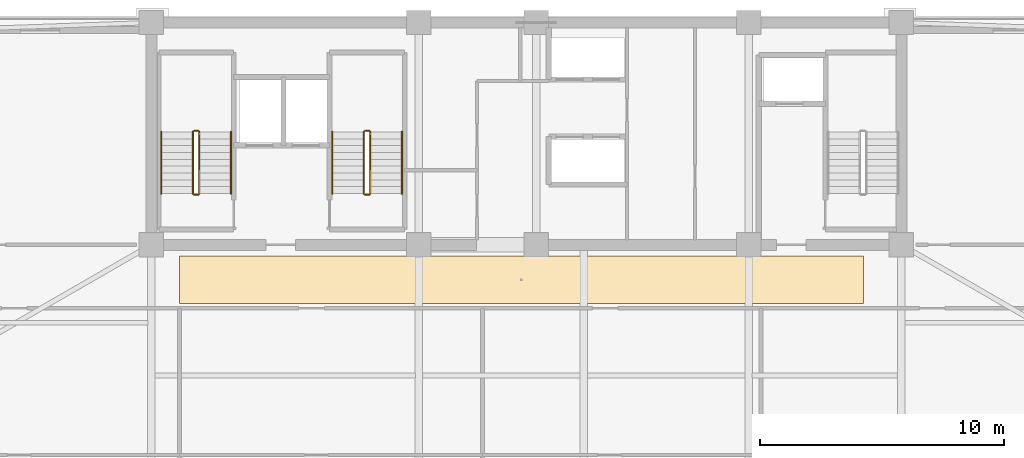
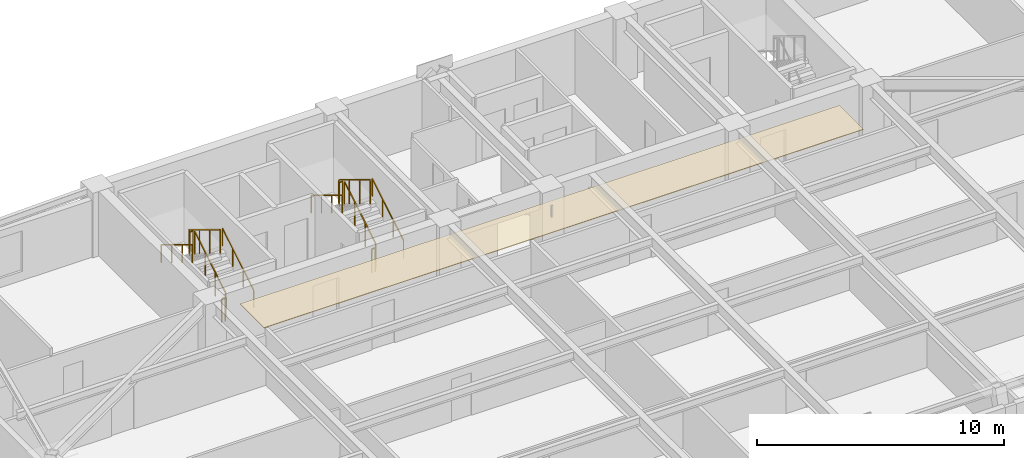
# One storey, part 14 of 16: 12 railings, 1 covering.
"""IFC4 building model written with IfcOpenShell, lengths in metres."""

from ifc_helpers import new_model, si_unit, direction, frame, origin, origin_2d, place, context, subcontext, project, spatial, polyline, rectangle, outline, extrude, material, layer, layer_set, type_object, element, save


model = new_model("IFC4")

# Units and contexts
model_context = context("Model", 3, precision=1e-05, world=origin(), true_north=direction((0.0, 1.0)))
body_context = subcontext(model_context, "Body", "Model", "MODEL_VIEW")
ifc_project = project(units=[si_unit("LENGTHUNIT", "METRE"), si_unit("AREAUNIT", "SQUARE_METRE"), si_unit("VOLUMEUNIT", "CUBIC_METRE"), si_unit("PLANEANGLEUNIT", "RADIAN"), si_unit("MASSUNIT", "GRAM", prefix="KILO")], contexts=[model_context])

# Site, building, storey
site_placement = place(None, origin())
site = spatial("IfcSite", under=ifc_project, at=site_placement, CompositionType="ELEMENT")
building_placement = place(site_placement, origin())
building = spatial("IfcBuilding", under=site, at=building_placement, Name="Giltprow Tower", CompositionType="ELEMENT")
storey_placement = place(building_placement, frame((0.0, 0.0, 255.300048828125)))
storey = spatial("IfcBuildingStorey", under=building, at=storey_placement, Name="L65", CompositionType="ELEMENT", Elevation=255.300048828125)

# Covering
ifc_material_1 = material(Name="Painted gypsum board", Category="gypsum")
ifc_layer = layer(ifc_material_1, 0.030029296875, Name="Painted gypsum board")
ifc_layer_set = layer_set([ifc_layer], Name="Painted gypsum board")
covering_type = type_object("IfcCoveringType", Name="COV-CLG-GYPSUM", PredefinedType="CEILING", material=ifc_layer_set)
covering_placement = place(storey_placement, frame((0.0, 0.0, 2.619873046875)))
element("IfcCovering", 1, at=covering_placement, inside=storey, type_object=covering_type, Name="L65 Residence Gallery Ceiling", PredefinedType="CEILING", context=body_context, shape_type="SweptSolid", body=[
    extrude(outline(polyline([(21.0, 35.050048828125), (49.0, 35.050048828125), (49.0, 37.0), (21.0, 37.0), (21.0, 35.050048828125)])), origin(), (0.0, 0.0, 1.0), 0.030029296875),
])

# Railings
ifc_material_2 = material(Name="Anodized bronze", Category="metal")
railing_type_1 = type_object("IfcRailingType", Name="RAIL-STAIR-GUARD-1200", PredefinedType="GUARDRAIL", material=ifc_material_2)
railing_1_placement = place(storey_placement, frame((21.81005859375, 39.550048828125, 0.169921875)))
element("IfcRailing", 2, at=railing_1_placement, inside=storey, type_object=railing_type_1, Name="L65 ST-1 stair guard 1", PredefinedType="GUARDRAIL", context=body_context, shape_type="SweptSolid", body=[
    extrude(rectangle(XDim=0.048095703125, YDim=0.048095703125, at=origin_2d()), frame((0.0, 0.0, 1.17578125), z_axis=(0.0, 0.85478489116, 0.518982456201), x_axis=(-1.0, 0.0, 0.0)), (0.0, 0.0, 1.0), 2.9482421875),
    extrude(rectangle(XDim=0.0419921875, YDim=0.0419921875, at=origin_2d()), origin(), (0.0, 0.0, 1.0), 1.15185546875),
    extrude(rectangle(XDim=0.0419921875, YDim=0.0419921875, at=origin_2d()), frame((0.0, 0.840087890625, 0.510009765625)), (0.0, 0.0, 1.0), 1.15185546875),
    extrude(rectangle(XDim=0.0419921875, YDim=0.0419921875, at=origin_2d()), frame((0.0, 1.679931640625, 1.02001953125)), (0.0, 0.0, 1.0), 1.15185546875),
    extrude(rectangle(XDim=0.0419921875, YDim=0.0419921875, at=origin_2d()), frame((0.0, 2.52001953125, 1.530029296875)), (0.0, 0.0, 1.0), 1.15185546875),
])
railing_2_placement = place(storey_placement, frame((21.760009765625, 42.1201171875, 1.699951171875)))
element("IfcRailing", 3, at=railing_2_placement, inside=storey, type_object=railing_type_1, Name="L65 ST-1 stair guard 2", PredefinedType="GUARDRAIL", context=body_context, shape_type="SweptSolid", body=[
    extrude(rectangle(XDim=0.048095703125, YDim=0.048095703125, at=origin_2d()), frame((0.0, 0.0, 1.17578125), z_axis=(-1.0, 0.0, 0.0), x_axis=(0.0, -1.0, 0.0)), (0.0, 0.0, 1.0), 0.159912109375),
    extrude(rectangle(XDim=0.0419921875, YDim=0.0419921875, at=origin_2d()), origin(), (0.0, 0.0, 1.0), 1.15185546875),
    extrude(rectangle(XDim=0.0419921875, YDim=0.0419921875, at=origin_2d()), frame((-0.159912109375, 0.0, 0.0)), (0.0, 0.0, 1.0), 1.15185546875),
])
railing_3_placement = place(storey_placement, frame((21.550048828125, 42.070068359375, 1.869873046875)))
element("IfcRailing", 4, at=railing_3_placement, inside=storey, type_object=railing_type_1, Name="L65 ST-1 stair guard 3", PredefinedType="GUARDRAIL", context=body_context, shape_type="SweptSolid", body=[
    extrude(rectangle(XDim=0.048095703125, YDim=0.048095703125, at=origin_2d()), frame((0.0, 0.0, 1.17578125), z_axis=(0.0, -0.85478489116, 0.518982456201), x_axis=(1.0, 0.0, 0.0)), (0.0, 0.0, 1.0), 2.9482421875),
    extrude(rectangle(XDim=0.0419921875, YDim=0.0419921875, at=origin_2d()), origin(), (0.0, 0.0, 1.0), 1.15185546875),
    extrude(rectangle(XDim=0.0419921875, YDim=0.0419921875, at=origin_2d()), frame((0.0, -0.840087890625, 0.510009765625)), (0.0, 0.0, 1.0), 1.15185546875),
    extrude(rectangle(XDim=0.0419921875, YDim=0.0419921875, at=origin_2d()), frame((0.0, -1.679931640625, 1.02001953125)), (0.0, 0.0, 1.0), 1.15185546875),
    extrude(rectangle(XDim=0.0419921875, YDim=0.0419921875, at=origin_2d()), frame((0.0, -2.52001953125, 1.530029296875)), (0.0, 0.0, 1.0), 1.15185546875),
])
railing_4_placement = place(storey_placement, frame((21.760009765625, 39.5, 0.0)))
element("IfcRailing", 5, at=railing_4_placement, inside=storey, type_object=railing_type_1, Name="L65 ST-1 stair guard 4", PredefinedType="GUARDRAIL", context=body_context, shape_type="SweptSolid", body=[
    extrude(rectangle(XDim=0.048095703125, YDim=0.048095703125, at=origin_2d()), frame((0.0, 0.0, 1.17578125), z_axis=(-1.0, 0.0, 0.0), x_axis=(0.0, -1.0, 0.0)), (0.0, 0.0, 1.0), 0.159912109375),
    extrude(rectangle(XDim=0.0419921875, YDim=0.0419921875, at=origin_2d()), origin(), (0.0, 0.0, 1.0), 1.15185546875),
    extrude(rectangle(XDim=0.0419921875, YDim=0.0419921875, at=origin_2d()), frame((-0.159912109375, 0.0, 0.0)), (0.0, 0.0, 1.0), 1.15185546875),
])
railing_5_placement = place(storey_placement, frame((28.81005859375, 39.550048828125, 0.169921875)))
element("IfcRailing", 6, at=railing_5_placement, inside=storey, type_object=railing_type_1, Name="L65 ST-2 stair guard 1", PredefinedType="GUARDRAIL", context=body_context, shape_type="SweptSolid", body=[
    extrude(rectangle(XDim=0.048095703125, YDim=0.048095703125, at=origin_2d()), frame((0.0, 0.0, 1.17578125), z_axis=(0.0, 0.85478489116, 0.518982456201), x_axis=(-1.0, 0.0, 0.0)), (0.0, 0.0, 1.0), 2.9482421875),
    extrude(rectangle(XDim=0.0419921875, YDim=0.0419921875, at=origin_2d()), origin(), (0.0, 0.0, 1.0), 1.15185546875),
    extrude(rectangle(XDim=0.0419921875, YDim=0.0419921875, at=origin_2d()), frame((0.0, 0.840087890625, 0.510009765625)), (0.0, 0.0, 1.0), 1.15185546875),
    extrude(rectangle(XDim=0.0419921875, YDim=0.0419921875, at=origin_2d()), frame((0.0, 1.679931640625, 1.02001953125)), (0.0, 0.0, 1.0), 1.15185546875),
    extrude(rectangle(XDim=0.0419921875, YDim=0.0419921875, at=origin_2d()), frame((0.0, 2.52001953125, 1.530029296875)), (0.0, 0.0, 1.0), 1.15185546875),
])
railing_6_placement = place(storey_placement, frame((28.760009765625, 42.1201171875, 1.699951171875)))
element("IfcRailing", 7, at=railing_6_placement, inside=storey, type_object=railing_type_1, Name="L65 ST-2 stair guard 2", PredefinedType="GUARDRAIL", context=body_context, shape_type="SweptSolid", body=[
    extrude(rectangle(XDim=0.048095703125, YDim=0.048095703125, at=origin_2d()), frame((0.0, 0.0, 1.17578125), z_axis=(-1.0, 0.0, 0.0), x_axis=(0.0, -1.0, 0.0)), (0.0, 0.0, 1.0), 0.159912109375),
    extrude(rectangle(XDim=0.0419921875, YDim=0.0419921875, at=origin_2d()), origin(), (0.0, 0.0, 1.0), 1.15185546875),
    extrude(rectangle(XDim=0.0419921875, YDim=0.0419921875, at=origin_2d()), frame((-0.159912109375, 0.0, 0.0)), (0.0, 0.0, 1.0), 1.15185546875),
])
railing_7_placement = place(storey_placement, frame((28.550048828125, 42.070068359375, 1.869873046875)))
element("IfcRailing", 8, at=railing_7_placement, inside=storey, type_object=railing_type_1, Name="L65 ST-2 stair guard 3", PredefinedType="GUARDRAIL", context=body_context, shape_type="SweptSolid", body=[
    extrude(rectangle(XDim=0.048095703125, YDim=0.048095703125, at=origin_2d()), frame((0.0, 0.0, 1.17578125), z_axis=(0.0, -0.85478489116, 0.518982456201), x_axis=(1.0, 0.0, 0.0)), (0.0, 0.0, 1.0), 2.9482421875),
    extrude(rectangle(XDim=0.0419921875, YDim=0.0419921875, at=origin_2d()), origin(), (0.0, 0.0, 1.0), 1.15185546875),
    extrude(rectangle(XDim=0.0419921875, YDim=0.0419921875, at=origin_2d()), frame((0.0, -0.840087890625, 0.510009765625)), (0.0, 0.0, 1.0), 1.15185546875),
    extrude(rectangle(XDim=0.0419921875, YDim=0.0419921875, at=origin_2d()), frame((0.0, -1.679931640625, 1.02001953125)), (0.0, 0.0, 1.0), 1.15185546875),
    extrude(rectangle(XDim=0.0419921875, YDim=0.0419921875, at=origin_2d()), frame((0.0, -2.52001953125, 1.530029296875)), (0.0, 0.0, 1.0), 1.15185546875),
])
railing_8_placement = place(storey_placement, frame((28.760009765625, 39.5, 0.0)))
element("IfcRailing", 9, at=railing_8_placement, inside=storey, type_object=railing_type_1, Name="L65 ST-2 stair guard 4", PredefinedType="GUARDRAIL", context=body_context, shape_type="SweptSolid", body=[
    extrude(rectangle(XDim=0.048095703125, YDim=0.048095703125, at=origin_2d()), frame((0.0, 0.0, 1.17578125), z_axis=(-1.0, 0.0, 0.0), x_axis=(0.0, -1.0, 0.0)), (0.0, 0.0, 1.0), 0.159912109375),
    extrude(rectangle(XDim=0.0419921875, YDim=0.0419921875, at=origin_2d()), origin(), (0.0, 0.0, 1.0), 1.15185546875),
    extrude(rectangle(XDim=0.0419921875, YDim=0.0419921875, at=origin_2d()), frame((-0.159912109375, 0.0, 0.0)), (0.0, 0.0, 1.0), 1.15185546875),
])
railing_type_2 = type_object("IfcRailingType", Name="RAIL-STAIR-HAND-900", PredefinedType="HANDRAIL", material=ifc_material_2)
railing_9_placement = place(storey_placement, frame((23.110107421875, 39.550048828125, 0.169921875)))
element("IfcRailing", 10, at=railing_9_placement, inside=storey, type_object=railing_type_2, Name="L65 ST-1 stair handrail 1", PredefinedType="HANDRAIL", context=body_context, shape_type="SweptSolid", body=[
    extrude(rectangle(XDim=0.048095703125, YDim=0.048095703125, at=origin_2d()), frame((0.0, 0.0, 0.8759765625), z_axis=(0.0, 0.85478489116, 0.518982456201), x_axis=(-1.0, 0.0, 0.0)), (0.0, 0.0, 1.0), 2.9482421875),
    extrude(rectangle(XDim=0.0419921875, YDim=0.0419921875, at=origin_2d()), origin(), (0.0, 0.0, 1.0), 0.851806640625),
    extrude(rectangle(XDim=0.0419921875, YDim=0.0419921875, at=origin_2d()), frame((0.0, 0.840087890625, 0.510009765625)), (0.0, 0.0, 1.0), 0.851806640625),
    extrude(rectangle(XDim=0.0419921875, YDim=0.0419921875, at=origin_2d()), frame((0.0, 1.679931640625, 1.02001953125)), (0.0, 0.0, 1.0), 0.851806640625),
    extrude(rectangle(XDim=0.0419921875, YDim=0.0419921875, at=origin_2d()), frame((0.0, 2.52001953125, 1.530029296875)), (0.0, 0.0, 1.0), 0.851806640625),
])
railing_10_placement = place(storey_placement, frame((20.25, 42.070068359375, 1.869873046875)))
element("IfcRailing", 11, at=railing_10_placement, inside=storey, type_object=railing_type_2, Name="L65 ST-1 stair handrail 2", PredefinedType="HANDRAIL", context=body_context, shape_type="SweptSolid", body=[
    extrude(rectangle(XDim=0.048095703125, YDim=0.048095703125, at=origin_2d()), frame((0.0, 0.0, 0.8759765625), z_axis=(0.0, -0.85478489116, 0.518982456201), x_axis=(1.0, 0.0, 0.0)), (0.0, 0.0, 1.0), 2.9482421875),
    extrude(rectangle(XDim=0.0419921875, YDim=0.0419921875, at=origin_2d()), origin(), (0.0, 0.0, 1.0), 0.851806640625),
    extrude(rectangle(XDim=0.0419921875, YDim=0.0419921875, at=origin_2d()), frame((0.0, -0.840087890625, 0.510009765625)), (0.0, 0.0, 1.0), 0.851806640625),
    extrude(rectangle(XDim=0.0419921875, YDim=0.0419921875, at=origin_2d()), frame((0.0, -1.679931640625, 1.02001953125)), (0.0, 0.0, 1.0), 0.851806640625),
    extrude(rectangle(XDim=0.0419921875, YDim=0.0419921875, at=origin_2d()), frame((0.0, -2.52001953125, 1.530029296875)), (0.0, 0.0, 1.0), 0.851806640625),
])
railing_11_placement = place(storey_placement, frame((30.110107421875, 39.550048828125, 0.169921875)))
element("IfcRailing", 12, at=railing_11_placement, inside=storey, type_object=railing_type_2, Name="L65 ST-2 stair handrail 1", PredefinedType="HANDRAIL", context=body_context, shape_type="SweptSolid", body=[
    extrude(rectangle(XDim=0.048095703125, YDim=0.048095703125, at=origin_2d()), frame((0.0, 0.0, 0.8759765625), z_axis=(0.0, 0.85478489116, 0.518982456201), x_axis=(-1.0, 0.0, 0.0)), (0.0, 0.0, 1.0), 2.9482421875),
    extrude(rectangle(XDim=0.0419921875, YDim=0.0419921875, at=origin_2d()), origin(), (0.0, 0.0, 1.0), 0.851806640625),
    extrude(rectangle(XDim=0.0419921875, YDim=0.0419921875, at=origin_2d()), frame((0.0, 0.840087890625, 0.510009765625)), (0.0, 0.0, 1.0), 0.851806640625),
    extrude(rectangle(XDim=0.0419921875, YDim=0.0419921875, at=origin_2d()), frame((0.0, 1.679931640625, 1.02001953125)), (0.0, 0.0, 1.0), 0.851806640625),
    extrude(rectangle(XDim=0.0419921875, YDim=0.0419921875, at=origin_2d()), frame((0.0, 2.52001953125, 1.530029296875)), (0.0, 0.0, 1.0), 0.851806640625),
])
railing_12_placement = place(storey_placement, frame((27.25, 42.070068359375, 1.869873046875)))
element("IfcRailing", 13, at=railing_12_placement, inside=storey, type_object=railing_type_2, Name="L65 ST-2 stair handrail 2", PredefinedType="HANDRAIL", context=body_context, shape_type="SweptSolid", body=[
    extrude(rectangle(XDim=0.048095703125, YDim=0.048095703125, at=origin_2d()), frame((0.0, 0.0, 0.8759765625), z_axis=(0.0, -0.85478489116, 0.518982456201), x_axis=(1.0, 0.0, 0.0)), (0.0, 0.0, 1.0), 2.9482421875),
    extrude(rectangle(XDim=0.0419921875, YDim=0.0419921875, at=origin_2d()), origin(), (0.0, 0.0, 1.0), 0.851806640625),
    extrude(rectangle(XDim=0.0419921875, YDim=0.0419921875, at=origin_2d()), frame((0.0, -0.840087890625, 0.510009765625)), (0.0, 0.0, 1.0), 0.851806640625),
    extrude(rectangle(XDim=0.0419921875, YDim=0.0419921875, at=origin_2d()), frame((0.0, -1.679931640625, 1.02001953125)), (0.0, 0.0, 1.0), 0.851806640625),
    extrude(rectangle(XDim=0.0419921875, YDim=0.0419921875, at=origin_2d()), frame((0.0, -2.52001953125, 1.530029296875)), (0.0, 0.0, 1.0), 0.851806640625),
])

save(model, "model.ifc")
